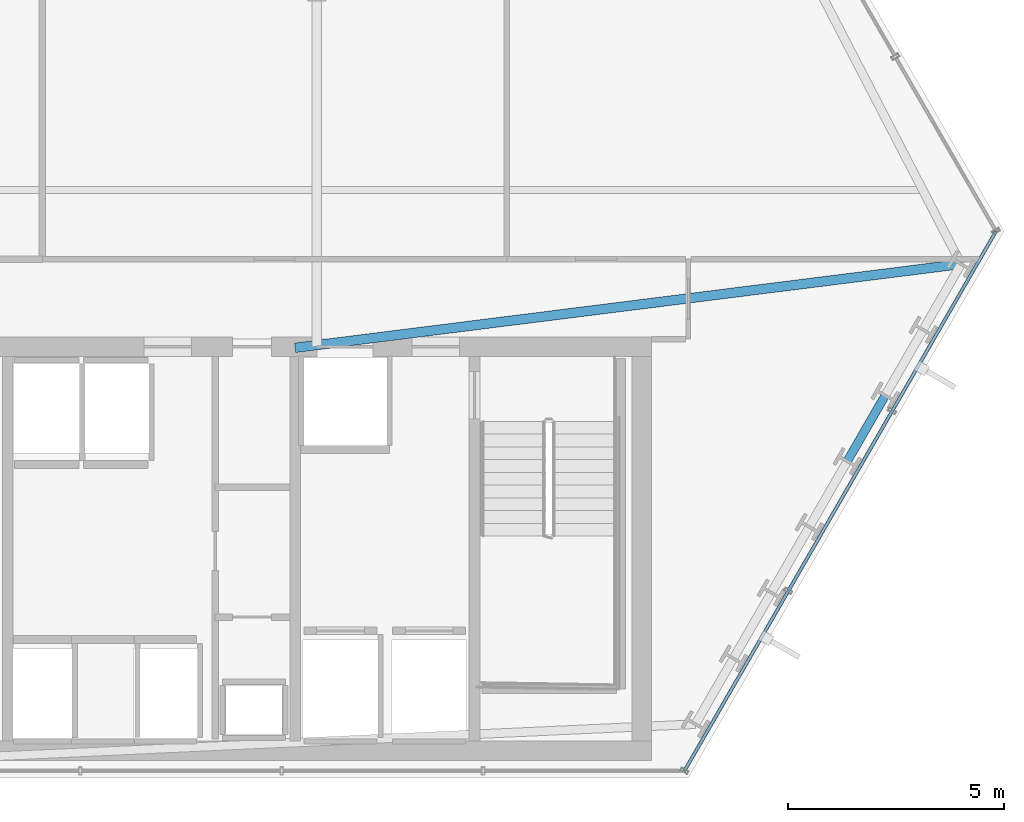
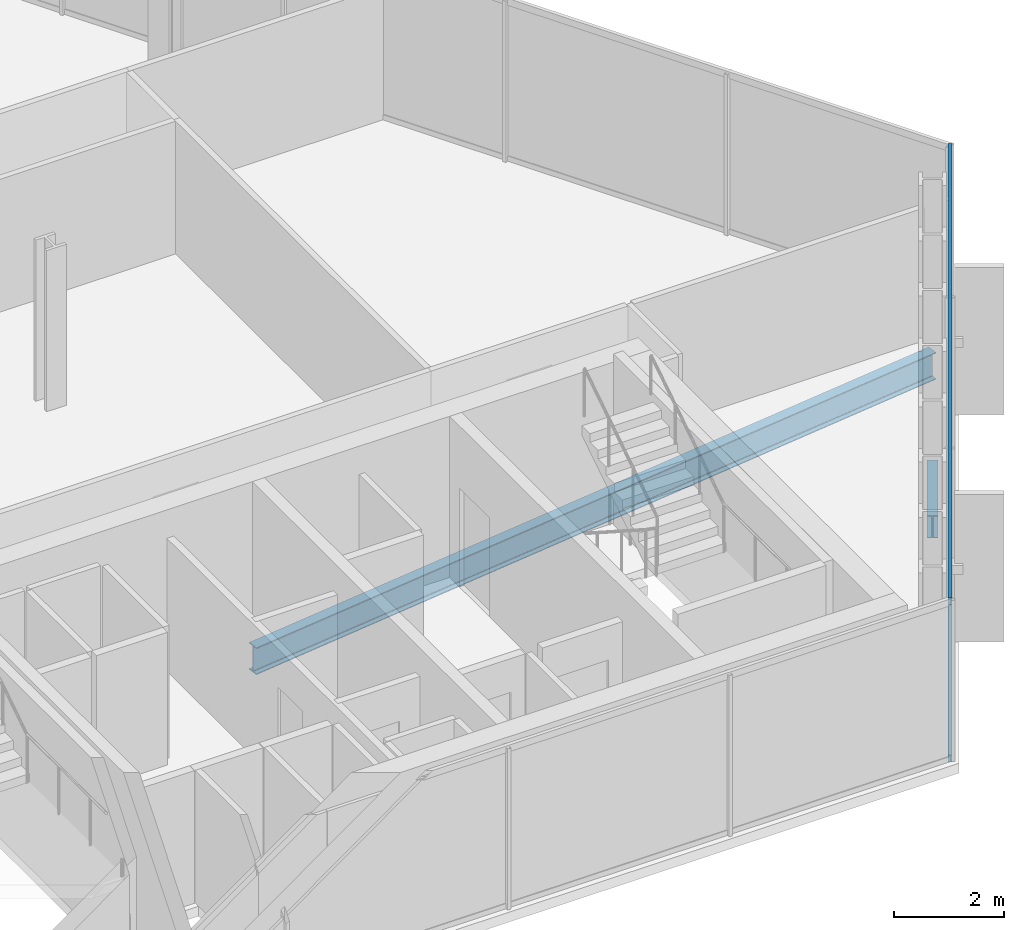
# One storey, part 17 of 33: 2 beams, 2 members, 1 element without a shape of its own.
"""IFC4 building model written with IfcOpenShell, lengths in metres."""

from ifc_helpers import new_model, si_unit, direction, frame, origin, origin_2d, place, context, subcontext, project, spatial, hollow_rectangle, i_section, extrude, material, layer, layer_set, material_profile, profile_set, type_object, element, aggregate, save


model = new_model("IFC4")

# Units and contexts
model_context = context("Model", 3, precision=1e-05, world=origin(), true_north=direction((0.0, 1.0)))
body_context = subcontext(model_context, "Body", "Model", "MODEL_VIEW")
ifc_project = project(units=[si_unit("LENGTHUNIT", "METRE"), si_unit("AREAUNIT", "SQUARE_METRE"), si_unit("VOLUMEUNIT", "CUBIC_METRE"), si_unit("PLANEANGLEUNIT", "RADIAN"), si_unit("MASSUNIT", "GRAM", prefix="KILO")], contexts=[model_context])

# Site, building, storey
site_placement = place(None, origin())
site = spatial("IfcSite", under=ifc_project, at=site_placement, CompositionType="ELEMENT")
building_placement = place(site_placement, origin())
building = spatial("IfcBuilding", under=site, at=building_placement, Name="Ndaravel Arena Tower", CompositionType="ELEMENT")
storey_placement = place(building_placement, frame((0.0, 0.0, 85.39990234375)))
storey = spatial("IfcBuildingStorey", under=building, at=storey_placement, Name="L19", CompositionType="ELEMENT", Elevation=85.39990234375)

# Beams
ifc_material_1 = material(Name="Steel S355", Category="steel")
ifc_material_profile_1 = material_profile(ifc_material_1, i_section(OverallWidth=0.219970703125, OverallDepth=0.60009765625, WebThickness=0.011962890625, FlangeThickness=0.01904296875, FilletRadius=0.02392578125, at=origin_2d()), Name="IPE 600")
ifc_profile_set_1 = profile_set([ifc_material_profile_1], Name="Steel S355")
beam_type_1 = type_object("IfcBeamType", Name="BM-GIRD-IPE600", PredefinedType="BEAM", material=ifc_profile_set_1)
beam_1_placement = place(storey_placement, frame((64.710205078125, 16.887451171875, -0.52001953125), z_axis=(-0.9921886271, -0.124746656284, 0.0), x_axis=(0.124746656284, -0.9921886271, 0.0)))
element("IfcBeam", 1, at=beam_1_placement, inside=storey, type_object=beam_type_1, Name="L19 Radial Floor Girder FG-09", PredefinedType="BEAM", context=body_context, shape_type="SweptSolid", body=[
    extrude(i_section(OverallWidth=0.219970703125, OverallDepth=0.60009765625, WebThickness=0.011962890625, FlangeThickness=0.01904296875, FilletRadius=0.02392578125, at=origin_2d()), origin(), (0.0, 0.0, 1.0), 15.531494140625),
])
ifc_material_2 = material(Name="Steel S355", Category="steel")
ifc_material_profile_2 = material_profile(ifc_material_2, i_section(OverallWidth=0.199951171875, OverallDepth=0.5, WebThickness=0.01025390625, FlangeThickness=0.01611328125, FilletRadius=0.02099609375, at=origin_2d()), Name="IPE 500")
ifc_profile_set_2 = profile_set([ifc_material_profile_2], Name="Steel S355")
beam_type_2 = type_object("IfcBeamType", Name="BM-SPAN-IPE500", PredefinedType="SPANDREL", material=ifc_profile_set_2)
beam_2_placement = place(storey_placement, frame((62.07568359375, 12.324462890625, -0.469970703125), z_axis=(0.500115484592, 0.865958718457, 0.0), x_axis=(-0.865958718457, 0.500115484592, 0.0)))
element("IfcBeam", 2, at=beam_2_placement, inside=storey, type_object=beam_type_2, Name="L19 Perimeter Spandrel Beam SP-06", PredefinedType="SPANDREL", context=body_context, shape_type="SweptSolid", body=[
    extrude(i_section(OverallWidth=0.199951171875, OverallDepth=0.5, WebThickness=0.01025390625, FlangeThickness=0.01611328125, FilletRadius=0.02099609375, at=origin_2d()), origin(), (0.0, 0.0, 1.0), 1.75634765625),
])

# Curtain wall, members
ifc_material_3 = material(Name="Aluminium", Category="aluminium")
ifc_layer = layer(ifc_material_3, 0.179931640625)
ifc_layer_set = layer_set([ifc_layer], Name="Aluminium")
curtain_wall_type = type_object("IfcCurtainWallType", Name="CW-SYS-01", PredefinedType="NOTDEFINED", material=ifc_layer_set)
curtain_wall_placement = place(storey_placement, origin())
curtain_wall = element("IfcCurtainWall", 3, at=curtain_wall_placement, inside=storey, type_object=curtain_wall_type, Name="L19 Faceted Crystal Curtain Wall CW-L19-E02", PredefinedType="NOTDEFINED")
ifc_material_4 = material(Name="Aluminium", Category="aluminium")
ifc_material_profile_3 = material_profile(ifc_material_4, hollow_rectangle(XDim=0.074951171875, YDim=0.14990234375, WallThickness=0.00390625, at=origin_2d()), Name="CW TRANSOM 75x150x4")
ifc_profile_set_3 = profile_set([ifc_material_profile_3], Name="Aluminium")
member_type = type_object("IfcMemberType", Name="MEM-CW-TRN150", PredefinedType="USERDEFINED", material=ifc_profile_set_3)
member_1_placement = place(storey_placement, frame((58.308837890625, 5.159912109375, 0.0400390625), z_axis=(0.499999446118, 0.866025723568, 0.0), x_axis=(-0.866025723568, 0.499999446118, 0.0)))
member_1 = element("IfcMember", 4, at=member_1_placement, type_object=member_type, Name="CW-L19-E02 Transom 01", ObjectType="TRANSOM", PredefinedType="USERDEFINED", context=body_context, shape_type="SweptSolid", body=[
    extrude(hollow_rectangle(XDim=0.074951171875, YDim=0.14990234375, WallThickness=0.00390625, at=origin_2d()), origin(), (0.0, 0.0, 1.0), 14.419921875),
])
member_2_placement = place(storey_placement, frame((58.308837890625, 5.159912109375, 3.5400390625), z_axis=(0.499999446118, 0.866025723568, 0.0), x_axis=(-0.866025723568, 0.499999446118, 0.0)))
member_2 = element("IfcMember", 5, at=member_2_placement, type_object=member_type, Name="CW-L19-E02 Transom 02", ObjectType="TRANSOM", PredefinedType="USERDEFINED", context=body_context, shape_type="SweptSolid", body=[
    extrude(hollow_rectangle(XDim=0.074951171875, YDim=0.14990234375, WallThickness=0.00390625, at=origin_2d()), origin(), (0.0, 0.0, 1.0), 14.419921875),
])
aggregate(curtain_wall, [member_1, member_2])

save(model, "model.ifc")
